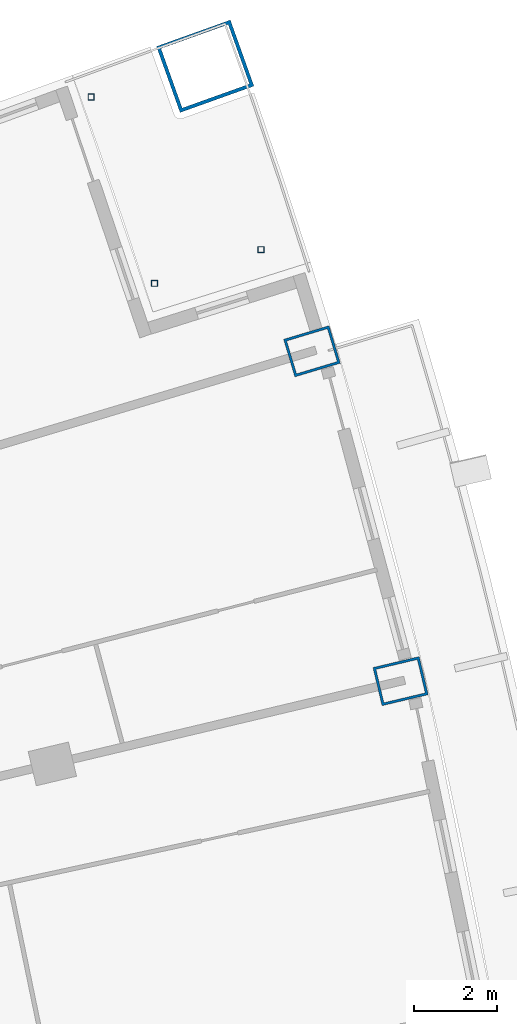
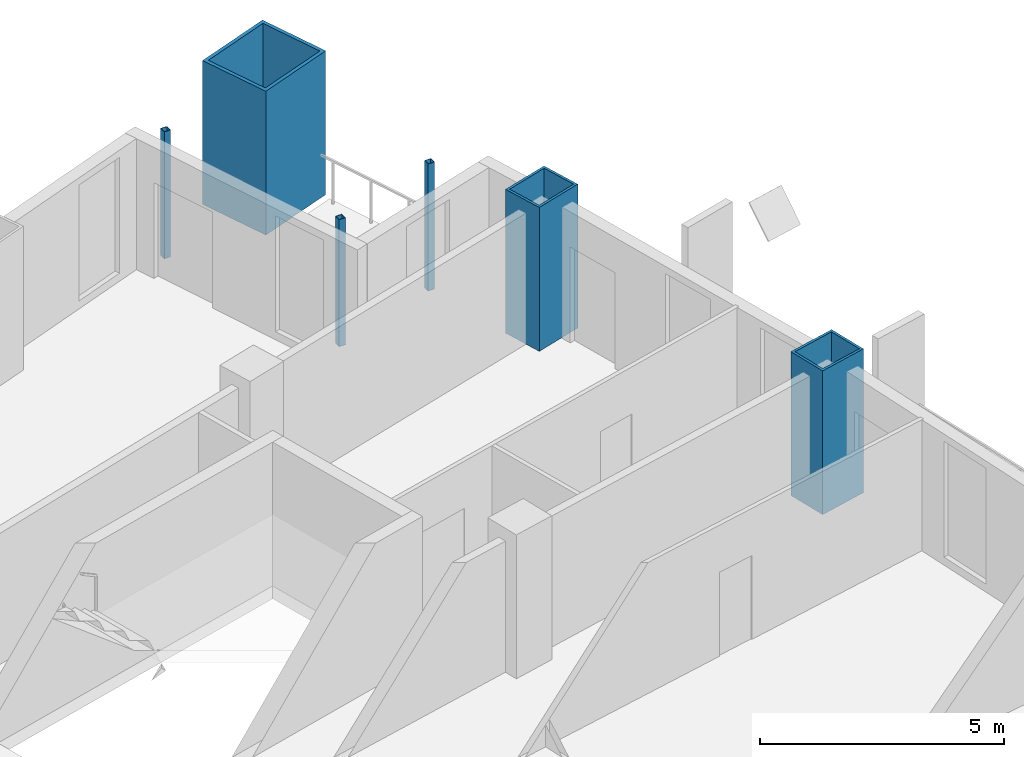
# One storey, part 11 of 25: 6 columns.
"""IFC4 building model written with IfcOpenShell, lengths in metres."""

from ifc_helpers import new_model, si_unit, direction, frame, origin, origin_2d, place, context, subcontext, project, spatial, hollow_rectangle, extrude, material, material_profile, profile_set, type_object, element, save


model = new_model("IFC4")

# Units and contexts
model_context = context("Model", 3, precision=1e-05, world=origin(), true_north=direction((0.0, 1.0)))
body_context = subcontext(model_context, "Body", "Model", "MODEL_VIEW")
ifc_project = project(units=[si_unit("LENGTHUNIT", "METRE"), si_unit("AREAUNIT", "SQUARE_METRE"), si_unit("VOLUMEUNIT", "CUBIC_METRE"), si_unit("PLANEANGLEUNIT", "RADIAN"), si_unit("MASSUNIT", "GRAM", prefix="KILO")], contexts=[model_context])

# Site, building, storey
site_placement = place(None, origin())
site = spatial("IfcSite", under=ifc_project, at=site_placement, CompositionType="ELEMENT")
building_placement = place(site_placement, origin())
building = spatial("IfcBuilding", under=site, at=building_placement, Name="Alderwake Tower", CompositionType="ELEMENT")
storey_placement = place(building_placement, frame((0.0, 0.0, 89.60009765625)))
storey = spatial("IfcBuildingStorey", under=building, at=storey_placement, Name="L21", CompositionType="ELEMENT", Elevation=89.60009765625)

# Columns
ifc_material_1 = material(Name="Steel ASTM A500 Grade C", Category="steel")
ifc_material_profile_1 = material_profile(ifc_material_1, hollow_rectangle(XDim=0.15234375, YDim=0.15234375, WallThickness=0.0087890625, at=origin_2d()), Name="HSS6X6X3/8")
ifc_profile_set_1 = profile_set([ifc_material_profile_1], Name="Steel ASTM A500 Grade C")
column_type_1 = type_object("IfcColumnType", Name="Light post HSS6X6X3/8", PredefinedType="COLUMN", material=ifc_profile_set_1)
for number, where, z_axis, x_axis, name in (
    (1, (54.57568359375, 104.234130859375, 0.0), (0.0, 0.0, 1.0), (1.0, 0.0, 0.0), "Terrace post FN1"),
    (2, (50.465576171875, 107.931640625, 0.0), (0.0, 0.0, 1.0), (1.0, 0.0, 0.0), "Terrace post FN2"),
    (3, (52.001220703125, 103.420166015625, 0.0), (0.0, 0.0, 1.0), (1.0, 0.0, 0.0), "Terrace post FN3"),
):
    element("IfcColumn", number, at=place(storey_placement, frame(where, z_axis=z_axis, x_axis=x_axis)), inside=storey, type_object=column_type_1, Name=name, PredefinedType="COLUMN", context=body_context, shape_type="SweptSolid", body=[
        extrude(hollow_rectangle(XDim=0.15234375, YDim=0.15234375, WallThickness=0.0087890625, at=origin_2d()), origin(), (0.0, 0.0, 1.0), 3.179931640625),
    ])
ifc_material_2 = material(Name="Steel ASTM A572 Grade 50 concrete filled C70/85", Category="concrete")
ifc_material_profile_2 = material_profile(ifc_material_2, hollow_rectangle(XDim=1.699951171875, YDim=1.89990234375, WallThickness=0.0849609375, at=origin_2d()), Name="BOX 1900X1700X85")
ifc_profile_set_2 = profile_set([ifc_material_profile_2], Name="Steel ASTM A572 Grade 50 concrete filled C70/85")
column_type_2 = type_object("IfcColumnType", Name="Mega column Z2", PredefinedType="COLUMN", material=ifc_profile_set_2)
column_placement = place(storey_placement, frame((53.2265625, 108.67529296875, 0.0), z_axis=(0.0, 0.0, 1.0), x_axis=(-0.336929292402, 0.941529952748, 0.0)))
element("IfcColumn", 4, at=column_placement, inside=storey, type_object=column_type_2, Name="Column R13-C5", PredefinedType="COLUMN", context=body_context, shape_type="SweptSolid", body=[
    extrude(hollow_rectangle(XDim=1.699951171875, YDim=1.89990234375, WallThickness=0.0849609375, at=origin_2d()), origin(), (0.0, 0.0, 1.0), 3.599853515625),
])
ifc_material_3 = material(Name="Steel ASTM A572 Grade 50 concrete filled C70/85", Category="concrete")
ifc_material_profile_3 = material_profile(ifc_material_3, hollow_rectangle(XDim=0.949951171875, YDim=1.14990234375, WallThickness=0.06005859375, at=origin_2d()), Name="BOX 1150X950X60")
ifc_profile_set_3 = profile_set([ifc_material_profile_3], Name="Steel ASTM A572 Grade 50 concrete filled C70/85")
column_type_3 = type_object("IfcColumnType", Name="Perimeter column Z2", PredefinedType="COLUMN", material=ifc_profile_set_3)
for number, where, z_axis, x_axis, name in (
    (5, (57.95751953125, 93.787353515625, 0.0), (0.0, 0.0, 1.0), (-0.231221547198, 0.972901123502, 0.0), "Column R11-C5"),
    (6, (55.811279296875, 101.7744140625, 0.0), (0.0, 0.0, 1.0), (-0.287549418125, 0.957765802342, 0.0), "Column R12-C5"),
):
    element("IfcColumn", number, at=place(storey_placement, frame(where, z_axis=z_axis, x_axis=x_axis)), inside=storey, type_object=column_type_3, Name=name, PredefinedType="COLUMN", context=body_context, shape_type="SweptSolid", body=[
        extrude(hollow_rectangle(XDim=0.949951171875, YDim=1.14990234375, WallThickness=0.06005859375, at=origin_2d()), origin(), (0.0, 0.0, 1.0), 3.599853515625),
    ])

save(model, "model.ifc")
